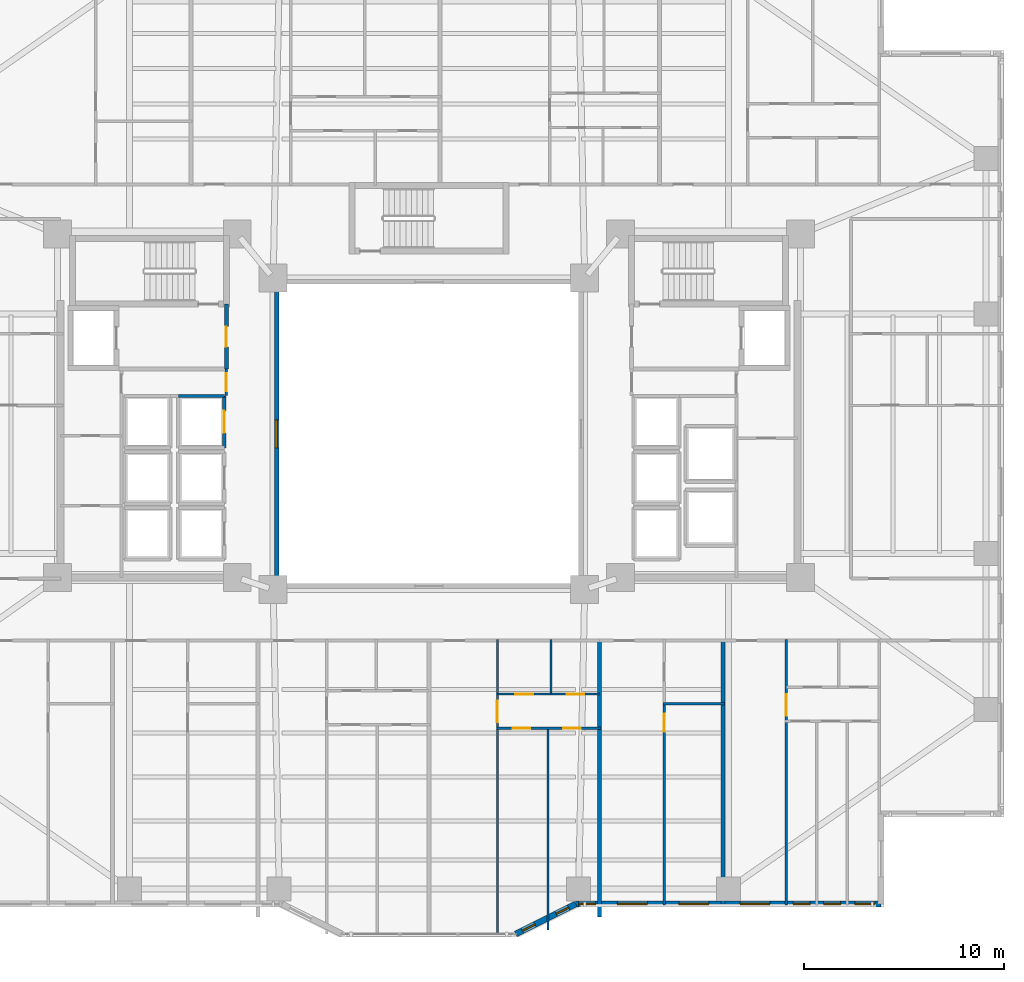
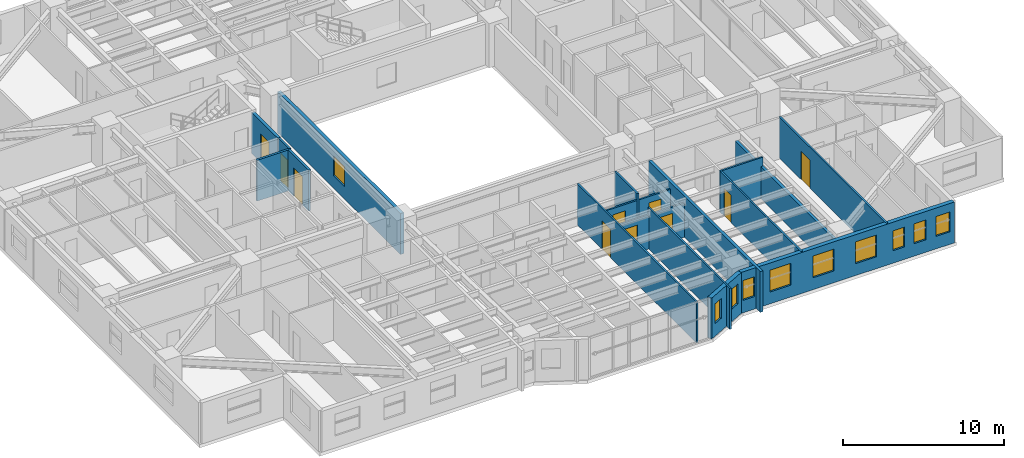
# One storey, part 12 of 22: 18 walls, 10 doors, 10 windows, 20 openings.
"""IFC4 building model written with IfcOpenShell, lengths in metres."""

from ifc_helpers import new_model, si_unit, direction, frame, frame_2d, origin, place, context, subcontext, project, spatial, rectangle, extrude, material, layer, layer_set, type_object, element, fill, save


model = new_model("IFC4")

# Units and contexts
model_context = context("Model", 3, precision=1e-05, world=origin(), true_north=direction((0.0, 1.0)))
body_context = subcontext(model_context, "Body", "Model", "MODEL_VIEW")
ifc_project = project(units=[si_unit("LENGTHUNIT", "METRE"), si_unit("AREAUNIT", "SQUARE_METRE"), si_unit("VOLUMEUNIT", "CUBIC_METRE"), si_unit("PLANEANGLEUNIT", "RADIAN"), si_unit("MASSUNIT", "GRAM", prefix="KILO")], contexts=[model_context])

# Site, building, storey
site_placement = place(None, origin())
site = spatial("IfcSite", under=ifc_project, at=site_placement, CompositionType="ELEMENT")
building_placement = place(site_placement, origin())
building = spatial("IfcBuilding", under=site, at=building_placement, Name="Tarnavaz Court Tower", CompositionType="ELEMENT")
storey_placement = place(building_placement, frame((0.0, 0.0, 27.35009765625)))
storey = spatial("IfcBuildingStorey", under=building, at=storey_placement, Name="L06", CompositionType="ELEMENT", Elevation=27.35009765625)

# Wall, openings, windows
ifc_material_1 = material(Name="Precast Concrete C40/50", Category="concrete")
ifc_layer_1 = layer(ifc_material_1, 0.300048828125)
ifc_layer_set_1 = layer_set([ifc_layer_1], Name="Precast Concrete C40/50")
wall_type_1 = type_object("IfcWallType", Name="WL-EXT-300", PredefinedType="SOLIDWALL", material=ifc_layer_set_1)
wall_1_placement = place(storey_placement, frame((22.64990234375, -23.550048828125, 0.0), z_axis=(0.0, 0.0, 1.0), x_axis=(-1.0, 0.0, 0.0)))
wall_1 = element("IfcWall", 1, at=wall_1_placement, inside=storey, type_object=wall_type_1, Name="L06 Exterior Terracotta Facade Wall 15", PredefinedType="SOLIDWALL", context=body_context, shape_type="SweptSolid", body=[
    extrude(rectangle(XDim=15.2998046875, YDim=0.300048828125, at=frame_2d((7.64990234375, 0.0))), origin(), (0.0, 0.0, 1.0), 3.099853515625),
])
opening_1_placement = place(wall_1_placement, frame((0.32080078125, 0.0, 0.949951171875)))
opening_1 = element("IfcOpeningElement", 2, at=opening_1_placement, cuts=wall_1, Name="Opening W14", PredefinedType="OPENING", context=body_context, shape_type="SweptSolid", body=[
    extrude(rectangle(XDim=1.0, YDim=1.5, at=frame_2d((0.5, 0.75))), frame((0.0, 0.159912109375, 0.0), z_axis=(0.0, -1.0, 0.0), x_axis=(1.0, 0.0, 0.0)), (0.0, 0.0, 1.0), 0.320068359375),
])
opening_2_placement = place(wall_1_placement, frame((2.031005859375, 0.0, 0.949951171875)))
opening_2 = element("IfcOpeningElement", 3, at=opening_2_placement, cuts=wall_1, Name="Opening W15", PredefinedType="OPENING", context=body_context, shape_type="SweptSolid", body=[
    extrude(rectangle(XDim=0.85009765625, YDim=1.5, at=frame_2d((0.425048828125, 0.75))), frame((0.0, 0.159912109375, 0.0), z_axis=(0.0, -1.0, 0.0), x_axis=(1.0, 0.0, 0.0)), (0.0, 0.0, 1.0), 0.320068359375),
])
opening_3_placement = place(wall_1_placement, frame((3.5615234375, 0.0, 0.949951171875)))
opening_3 = element("IfcOpeningElement", 4, at=opening_3_placement, cuts=wall_1, Name="Opening W15", PredefinedType="OPENING", context=body_context, shape_type="SweptSolid", body=[
    extrude(rectangle(XDim=0.85009765625, YDim=1.5, at=frame_2d((0.425048828125, 0.75))), frame((0.0, 0.159912109375, 0.0), z_axis=(0.0, -1.0, 0.0), x_axis=(1.0, 0.0, 0.0)), (0.0, 0.0, 1.0), 0.320068359375),
])
opening_4_placement = place(wall_1_placement, frame((5.57080078125, 0.0, 0.89990234375)))
opening_4 = element("IfcOpeningElement", 5, at=opening_4_placement, cuts=wall_1, Name="Opening W03", PredefinedType="OPENING", context=body_context, shape_type="SweptSolid", body=[
    extrude(rectangle(XDim=1.5, YDim=1.64990234375, at=frame_2d((0.75, 0.824951171875))), frame((0.0, 0.159912109375, 0.0), z_axis=(0.0, -1.0, 0.0), x_axis=(1.0, 0.0, 0.0)), (0.0, 0.0, 1.0), 0.320068359375),
])
opening_5_placement = place(wall_1_placement, frame((8.630615234375, 0.0, 0.89990234375)))
opening_5 = element("IfcOpeningElement", 6, at=opening_5_placement, cuts=wall_1, Name="Opening W03", PredefinedType="OPENING", context=body_context, shape_type="SweptSolid", body=[
    extrude(rectangle(XDim=1.5, YDim=1.64990234375, at=frame_2d((0.75, 0.824951171875))), frame((0.0, 0.159912109375, 0.0), z_axis=(0.0, -1.0, 0.0), x_axis=(1.0, 0.0, 0.0)), (0.0, 0.0, 1.0), 0.320068359375),
])
opening_6_placement = place(wall_1_placement, frame((11.7158203125, 0.0, 0.89990234375)))
opening_6 = element("IfcOpeningElement", 7, at=opening_6_placement, cuts=wall_1, Name="Opening W03", PredefinedType="OPENING", context=body_context, shape_type="SweptSolid", body=[
    extrude(rectangle(XDim=1.5, YDim=1.64990234375, at=frame_2d((0.75, 0.824951171875))), frame((0.0, 0.159912109375, 0.0), z_axis=(0.0, -1.0, 0.0), x_axis=(1.0, 0.0, 0.0)), (0.0, 0.0, 1.0), 0.320068359375),
])
opening_7_placement = place(wall_1_placement, frame((14.30322265625, 0.0, 0.949951171875)))
opening_7 = element("IfcOpeningElement", 8, at=opening_7_placement, cuts=wall_1, Name="Opening W15", PredefinedType="OPENING", context=body_context, shape_type="SweptSolid", body=[
    extrude(rectangle(XDim=0.85009765625, YDim=1.5, at=frame_2d((0.425048828125, 0.75))), frame((0.0, 0.159912109375, 0.0), z_axis=(0.0, -1.0, 0.0), x_axis=(1.0, 0.0, 0.0)), (0.0, 0.0, 1.0), 0.320068359375),
])
ifc_material_2 = material(Name="Double-Glazed Solar Low-E Glass", Category="glass")
window_type_1 = type_object("IfcWindowType", Name="WN-APT-1000", PartitioningType="SINGLE_PANEL", PredefinedType="WINDOW", material=ifc_material_2)
window_1_placement = place(opening_1_placement, origin())
window_1 = element("IfcWindow", 9, at=window_1_placement, inside=storey, type_object=window_type_1, Name="L06 Flat 08 Bedroom 3 Window", OverallHeight=1.5, OverallWidth=1.0, PartitioningType="SINGLE_PANEL", PredefinedType="WINDOW", context=body_context, shape_type="SweptSolid", body=[
    extrude(rectangle(XDim=1.0, YDim=1.5, at=frame_2d((0.5, 0.75))), frame((0.0, 0.030029296875, 0.0), z_axis=(0.0, -1.0, 0.0), x_axis=(1.0, 0.0, 0.0)), (0.0, 0.0, 1.0), 0.06005859375),
])
fill(opening_1, window_1)
window_type_2 = type_object("IfcWindowType", Name="WN-APT-1500", PartitioningType="DOUBLE_PANEL_VERTICAL", PredefinedType="WINDOW", material=ifc_material_2)
window_2_placement = place(opening_4_placement, origin())
window_2 = element("IfcWindow", 10, at=window_2_placement, inside=storey, type_object=window_type_2, Name="L06 Flat 08 Living and Dining Room Window", OverallHeight=1.64990234375, OverallWidth=1.5, PartitioningType="SINGLE_PANEL", PredefinedType="WINDOW", context=body_context, shape_type="SweptSolid", body=[
    extrude(rectangle(XDim=1.5, YDim=1.64990234375, at=frame_2d((0.75, 0.824951171875))), frame((0.0, 0.030029296875, 0.0), z_axis=(0.0, -1.0, 0.0), x_axis=(1.0, 0.0, 0.0)), (0.0, 0.0, 1.0), 0.06005859375),
])
fill(opening_4, window_2)
window_3_placement = place(opening_5_placement, origin())
window_3 = element("IfcWindow", 11, at=window_3_placement, inside=storey, type_object=window_type_2, Name="L06 Flat 07 Kitchen Window", OverallHeight=1.64990234375, OverallWidth=1.5, PartitioningType="SINGLE_PANEL", PredefinedType="WINDOW", context=body_context, shape_type="SweptSolid", body=[
    extrude(rectangle(XDim=1.5, YDim=1.64990234375, at=frame_2d((0.75, 0.824951171875))), frame((0.0, 0.030029296875, 0.0), z_axis=(0.0, -1.0, 0.0), x_axis=(1.0, 0.0, 0.0)), (0.0, 0.0, 1.0), 0.06005859375),
])
fill(opening_5, window_3)
window_4_placement = place(opening_6_placement, origin())
window_4 = element("IfcWindow", 12, at=window_4_placement, inside=storey, type_object=window_type_2, Name="L06 Flat 07 Studio Living and Sleeping Room Window", OverallHeight=1.64990234375, OverallWidth=1.5, PartitioningType="SINGLE_PANEL", PredefinedType="WINDOW", context=body_context, shape_type="SweptSolid", body=[
    extrude(rectangle(XDim=1.5, YDim=1.64990234375, at=frame_2d((0.75, 0.824951171875))), frame((0.0, 0.030029296875, 0.0), z_axis=(0.0, -1.0, 0.0), x_axis=(1.0, 0.0, 0.0)), (0.0, 0.0, 1.0), 0.06005859375),
])
fill(opening_6, window_4)
window_type_3 = type_object("IfcWindowType", Name="WN-APT-850", PartitioningType="SINGLE_PANEL", PredefinedType="WINDOW", material=ifc_material_2)
window_5_placement = place(opening_2_placement, origin())
window_5 = element("IfcWindow", 13, at=window_5_placement, inside=storey, type_object=window_type_3, Name="L06 Flat 08 Bedroom 2 Window", OverallHeight=1.5, OverallWidth=0.85009765625, PartitioningType="SINGLE_PANEL", PredefinedType="WINDOW", context=body_context, shape_type="SweptSolid", body=[
    extrude(rectangle(XDim=0.85009765625, YDim=1.5, at=frame_2d((0.425048828125, 0.75))), frame((0.0, 0.030029296875, 0.0), z_axis=(0.0, -1.0, 0.0), x_axis=(1.0, 0.0, 0.0)), (0.0, 0.0, 1.0), 0.06005859375),
])
fill(opening_2, window_5)
window_6_placement = place(opening_3_placement, origin())
window_6 = element("IfcWindow", 14, at=window_6_placement, inside=storey, type_object=window_type_3, Name="L06 Flat 08 Principal Bedroom Window", OverallHeight=1.5, OverallWidth=0.85009765625, PartitioningType="SINGLE_PANEL", PredefinedType="WINDOW", context=body_context, shape_type="SweptSolid", body=[
    extrude(rectangle(XDim=0.85009765625, YDim=1.5, at=frame_2d((0.425048828125, 0.75))), frame((0.0, 0.030029296875, 0.0), z_axis=(0.0, -1.0, 0.0), x_axis=(1.0, 0.0, 0.0)), (0.0, 0.0, 1.0), 0.06005859375),
])
fill(opening_3, window_6)
window_7_placement = place(opening_7_placement, origin())
window_7 = element("IfcWindow", 15, at=window_7_placement, inside=storey, type_object=window_type_3, Name="L06 Flat 10 Bedroom 2 Window", OverallHeight=1.5, OverallWidth=0.85009765625, PartitioningType="SINGLE_PANEL", PredefinedType="WINDOW", context=body_context, shape_type="SweptSolid", body=[
    extrude(rectangle(XDim=0.85009765625, YDim=1.5, at=frame_2d((0.425048828125, 0.75))), frame((0.0, 0.030029296875, 0.0), z_axis=(0.0, -1.0, 0.0), x_axis=(1.0, 0.0, 0.0)), (0.0, 0.0, 1.0), 0.06005859375),
])
fill(opening_7, window_7)

wall_2_placement = place(storey_placement, frame((7.35009765625, -23.550048828125, 0.0), z_axis=(0.0, 0.0, 1.0), x_axis=(-0.894427191, -0.4472135955, 0.0)))
wall_2 = element("IfcWall", 16, at=wall_2_placement, inside=storey, type_object=wall_type_1, Name="L06 Exterior Terracotta Facade Wall 16", PredefinedType="SOLIDWALL", context=body_context, shape_type="SweptSolid", body=[
    extrude(rectangle(XDim=3.35400390625, YDim=0.300048828125, at=frame_2d((1.677001953125, 0.0))), origin(), (0.0, 0.0, 1.0), 3.099853515625),
])
opening_8_placement = place(wall_2_placement, frame((0.395751953125, 0.0, 0.949951171875)))
opening_8 = element("IfcOpeningElement", 17, at=opening_8_placement, cuts=wall_2, Name="Opening W16", PredefinedType="OPENING", context=body_context, shape_type="SweptSolid", body=[
    extrude(rectangle(XDim=0.699951171875, YDim=1.5, at=frame_2d((0.35009765625, 0.75))), frame((0.0, 0.159912109375, 0.0), z_axis=(0.0, -1.0, 0.0), x_axis=(1.0, 0.0, 0.0)), (0.0, 0.0, 1.0), 0.320068359375),
])
opening_9_placement = place(wall_2_placement, frame((2.282470703125, 0.0, 0.949951171875)))
opening_9 = element("IfcOpeningElement", 18, at=opening_9_placement, cuts=wall_2, Name="Opening W16", PredefinedType="OPENING", context=body_context, shape_type="SweptSolid", body=[
    extrude(rectangle(XDim=0.699951171875, YDim=1.5, at=frame_2d((0.35009765625, 0.75))), frame((0.0, 0.159912109375, 0.0), z_axis=(0.0, -1.0, 0.0), x_axis=(1.0, 0.0, 0.0)), (0.0, 0.0, 1.0), 0.320068359375),
])
window_type_4 = type_object("IfcWindowType", Name="WN-APT-700", PartitioningType="SINGLE_PANEL", PredefinedType="WINDOW", material=ifc_material_2)
window_8_placement = place(opening_8_placement, origin())
window_8 = element("IfcWindow", 19, at=window_8_placement, inside=storey, type_object=window_type_4, Name="L06 Flat 10 Bedroom 2 Window", OverallHeight=1.5, OverallWidth=0.699951171875, PartitioningType="SINGLE_PANEL", PredefinedType="WINDOW", context=body_context, shape_type="SweptSolid", body=[
    extrude(rectangle(XDim=0.699951171875, YDim=1.5, at=frame_2d((0.35009765625, 0.75))), frame((0.0, 0.030029296875, 0.0), z_axis=(0.0, -1.0, 0.0), x_axis=(1.0, 0.0, 0.0)), (0.0, 0.0, 1.0), 0.06005859375),
])
fill(opening_8, window_8)
window_9_placement = place(opening_9_placement, origin())
window_9 = element("IfcWindow", 20, at=window_9_placement, inside=storey, type_object=window_type_4, Name="L06 Flat 10 Principal Bedroom Window", OverallHeight=1.5, OverallWidth=0.699951171875, PartitioningType="SINGLE_PANEL", PredefinedType="WINDOW", context=body_context, shape_type="SweptSolid", body=[
    extrude(rectangle(XDim=0.699951171875, YDim=1.5, at=frame_2d((0.35009765625, 0.75))), frame((0.0, 0.030029296875, 0.0), z_axis=(0.0, -1.0, 0.0), x_axis=(1.0, 0.0, 0.0)), (0.0, 0.0, 1.0), 0.06005859375),
])
fill(opening_9, window_9)

# Wall, opening, door
ifc_material_3 = material(Name="Autoclaved Aerated Concrete Blockwork", Category="masonry")
ifc_layer_2 = layer(ifc_material_3, 0.199951171875)
ifc_layer_set_2 = layer_set([ifc_layer_2], Name="Autoclaved Aerated Concrete Blockwork")
wall_type_2 = type_object("IfcWallType", Name="WL-FIRE-200", PredefinedType="SOLIDWALL", material=ifc_layer_set_2)
wall_3_placement = place(storey_placement, frame((-10.14990234375, 3.25, 0.0), z_axis=(0.0, 0.0, 1.0), x_axis=(0.0, 1.0, 0.0)))
wall_3 = element("IfcWall", 21, at=wall_3_placement, inside=storey, type_object=wall_type_2, Name="L06 West Firefighting Lobby Wall 014", PredefinedType="SOLIDWALL", context=body_context, shape_type="SweptSolid", body=[
    extrude(rectangle(XDim=3.25, YDim=0.199951171875, at=frame_2d((1.625, 0.0))), origin(), (0.0, 0.0, 1.0), 3.099853515625),
])
opening_10_placement = place(wall_3_placement, frame((1.10009765625, 0.0, 0.0)))
opening_10 = element("IfcOpeningElement", 22, at=opening_10_placement, cuts=wall_3, Name="Opening D05", PredefinedType="OPENING", context=body_context, shape_type="SweptSolid", body=[
    extrude(rectangle(XDim=1.02001953125, YDim=2.14990234375, at=frame_2d((0.510009765625, 1.074951171875))), frame((0.0, 0.10986328125, 0.0), z_axis=(0.0, -1.0, 0.0), x_axis=(1.0, 0.0, 0.0)), (0.0, 0.0, 1.0), 0.219970703125),
])
ifc_material_4 = material(Name="Fire-Rated Hardwood Timber Core", Category="wood")
door_type_1 = type_object("IfcDoorType", Name="DR-FD60-1000", OperationType="NOTDEFINED", PredefinedType="DOOR", material=ifc_material_4)
door_1_placement = place(opening_10_placement, origin())
door_1 = element("IfcDoor", 23, at=door_1_placement, inside=storey, type_object=door_type_1, Name="L06 West Firefighting Lobby Door", OperationType="SINGLE_SWING_RIGHT", OverallHeight=2.14990234375, OverallWidth=1.02001953125, PredefinedType="DOOR", context=body_context, shape_type="SweptSolid", body=[
    extrude(rectangle(XDim=1.02001953125, YDim=2.14990234375, at=frame_2d((0.510009765625, 1.074951171875))), frame((0.0, 0.02490234375, 0.0), z_axis=(0.0, -1.0, 0.0), x_axis=(1.0, 0.0, 0.0)), (0.0, 0.0, 1.0), 0.050048828125),
])
fill(opening_10, door_1)

# Walls
wall_4_placement = place(storey_placement, frame((14.738037109375, -23.60009765625, 0.0), z_axis=(0.0, 0.0, 1.0), x_axis=(0.0, 1.0, 0.0)))
element("IfcWall", 24, at=wall_4_placement, inside=storey, type_object=wall_type_2, Name="L06 Party Wall 119", PredefinedType="SOLIDWALL", context=body_context, shape_type="SweptSolid", body=[
    extrude(rectangle(XDim=13.25, YDim=0.199951171875, at=frame_2d((6.625, 0.0))), origin(), (0.0, 0.0, 1.0), 2.434814453125),
])
wall_5_placement = place(storey_placement, frame((8.550048828125, -24.2041015625, 0.0), z_axis=(0.0, 0.0, 1.0), x_axis=(0.0, 1.0, 0.0)))
element("IfcWall", 25, at=wall_5_placement, inside=storey, type_object=wall_type_2, Name="L06 Party Wall 131", PredefinedType="SOLIDWALL", context=body_context, shape_type="SweptSolid", body=[
    extrude(rectangle(XDim=13.85400390625, YDim=0.199951171875, at=frame_2d((6.927001953125, 0.0))), origin(), (0.0, 0.0, 1.0), 3.099853515625),
])

# Wall, opening, door
ifc_material_5 = material(Name="Moisture-Resistant Gypsum Board Partition", Category="masonry")
ifc_layer_3 = layer(ifc_material_5, 0.1201171875)
ifc_layer_set_3 = layer_set([ifc_layer_3], Name="Moisture-Resistant Gypsum Board Partition")
wall_type_3 = type_object("IfcWallType", Name="WL-PART-120", PredefinedType="PARTITIONING", material=ifc_layer_set_3)
wall_6_placement = place(storey_placement, frame((11.7890625, -23.60009765625, 0.0), z_axis=(0.0, 0.0, 1.0), x_axis=(0.0, 1.0, 0.0)))
wall_6 = element("IfcWall", 26, at=wall_6_placement, inside=storey, type_object=wall_type_3, Name="L06 Interior Partition 120", PredefinedType="PARTITIONING", context=body_context, shape_type="SweptSolid", body=[
    extrude(rectangle(XDim=10.090087890625, YDim=0.1201171875, at=frame_2d((5.044921875, 0.0))), origin(), (0.0, 0.0, 1.0), 3.099853515625),
])
opening_11_placement = place(wall_6_placement, frame((8.68994140625, 0.0, 0.0)))
opening_11 = element("IfcOpeningElement", 27, at=opening_11_placement, cuts=wall_6, Name="Opening D14", PredefinedType="OPENING", context=body_context, shape_type="SweptSolid", body=[
    extrude(rectangle(XDim=0.8798828125, YDim=2.10009765625, at=frame_2d((0.43994140625, 1.050048828125))), frame((0.0, 0.070068359375, 0.0), z_axis=(0.0, -1.0, 0.0), x_axis=(1.0, 0.0, 0.0)), (0.0, 0.0, 1.0), 0.14013671875),
])
ifc_material_6 = material(Name="Engineered Oak Timber", Category="wood")
door_type_2 = type_object("IfcDoorType", Name="DR-INT-900", OperationType="NOTDEFINED", PredefinedType="DOOR", material=ifc_material_6)
door_2_placement = place(opening_11_placement, origin())
door_2 = element("IfcDoor", 28, at=door_2_placement, inside=storey, type_object=door_type_2, Name="L06 Flat 07 Kitchen Door", OperationType="SINGLE_SWING_RIGHT", OverallHeight=2.10009765625, OverallWidth=0.8798828125, PredefinedType="DOOR", context=body_context, shape_type="SweptSolid", body=[
    extrude(rectangle(XDim=0.8798828125, YDim=2.10009765625, at=frame_2d((0.43994140625, 1.050048828125))), frame((0.0, 0.02490234375, 0.0), z_axis=(0.0, -1.0, 0.0), x_axis=(1.0, 0.0, 0.0)), (0.0, 0.0, 1.0), 0.050048828125),
])
fill(opening_11, door_2)

# Wall
wall_7_placement = place(storey_placement, frame((11.72900390625, -13.510009765625, 0.0), z_axis=(0.0, 0.0, 1.0), x_axis=(1.0, 0.0, 0.0)))
element("IfcWall", 29, at=wall_7_placement, inside=storey, type_object=wall_type_3, Name="L06 Interior Partition 122", PredefinedType="PARTITIONING", context=body_context, shape_type="SweptSolid", body=[
    extrude(rectangle(XDim=3.069091796875, YDim=0.1201171875, at=frame_2d((1.53466796875, 0.0))), origin(), (0.0, 0.0, 1.0), 3.099853515625),
])

# Wall, opening, door
wall_8_placement = place(storey_placement, frame((17.89794921875, -23.60009765625, 0.0), z_axis=(0.0, 0.0, 1.0), x_axis=(0.0, 1.0, 0.0)))
wall_8 = element("IfcWall", 30, at=wall_8_placement, inside=storey, type_object=wall_type_3, Name="L06 Interior Partition 123", PredefinedType="PARTITIONING", context=body_context, shape_type="SweptSolid", body=[
    extrude(rectangle(XDim=13.31005859375, YDim=0.1201171875, at=frame_2d((6.655029296875, 0.0))), origin(), (0.0, 0.0, 1.0), 3.099853515625),
])
opening_12_placement = place(wall_8_placement, frame((9.485107421875, 0.0, 0.0)))
opening_12 = element("IfcOpeningElement", 31, at=opening_12_placement, cuts=wall_8, Name="Opening D12", PredefinedType="OPENING", context=body_context, shape_type="SweptSolid", body=[
    extrude(rectangle(XDim=1.080078125, YDim=2.14990234375, at=frame_2d((0.5400390625, 1.074951171875))), frame((0.0, 0.070068359375, 0.0), z_axis=(0.0, -1.0, 0.0), x_axis=(1.0, 0.0, 0.0)), (0.0, 0.0, 1.0), 0.14013671875),
])
door_type_3 = type_object("IfcDoorType", Name="DR-INT-1100", OperationType="NOTDEFINED", PredefinedType="DOOR", material=ifc_material_6)
door_3_placement = place(opening_12_placement, origin())
door_3 = element("IfcDoor", 32, at=door_3_placement, inside=storey, type_object=door_type_3, Name="L06 Flat 08 Foyer Door", OperationType="SINGLE_SWING_LEFT", OverallHeight=2.14990234375, OverallWidth=1.080078125, PredefinedType="DOOR", context=body_context, shape_type="SweptSolid", body=[
    extrude(rectangle(XDim=1.080078125, YDim=2.14990234375, at=frame_2d((0.5400390625, 1.074951171875))), frame((0.0, 0.02490234375, 0.0), z_axis=(0.0, -1.0, 0.0), x_axis=(1.0, 0.0, 0.0)), (0.0, 0.0, 1.0), 0.050048828125),
])
fill(opening_12, door_3)

wall_9_placement = place(storey_placement, frame((3.431884765625, -25.080078125, 0.0), z_axis=(0.0, 0.0, 1.0), x_axis=(0.0, 1.0, 0.0)))
wall_9 = element("IfcWall", 33, at=wall_9_placement, inside=storey, type_object=wall_type_3, Name="L06 Interior Partition 139", PredefinedType="PARTITIONING", context=body_context, shape_type="SweptSolid", body=[
    extrude(rectangle(XDim=14.7900390625, YDim=0.1201171875, at=frame_2d((7.39501953125, 0.0))), origin(), (0.0, 0.0, 1.0), 3.099853515625),
])
opening_13_placement = place(wall_9_placement, frame((10.625, 0.0, 0.0)))
opening_13 = element("IfcOpeningElement", 34, at=opening_13_placement, cuts=wall_9, Name="Opening D12", PredefinedType="OPENING", context=body_context, shape_type="SweptSolid", body=[
    extrude(rectangle(XDim=1.080078125, YDim=2.14990234375, at=frame_2d((0.5400390625, 1.074951171875))), frame((0.0, 0.070068359375, 0.0), z_axis=(0.0, -1.0, 0.0), x_axis=(1.0, 0.0, 0.0)), (0.0, 0.0, 1.0), 0.14013671875),
])
door_4_placement = place(opening_13_placement, origin())
door_4 = element("IfcDoor", 35, at=door_4_placement, inside=storey, type_object=door_type_3, Name="L06 Flat 10 Foyer Door", OperationType="SINGLE_SWING_RIGHT", OverallHeight=2.14990234375, OverallWidth=1.080078125, PredefinedType="DOOR", context=body_context, shape_type="SweptSolid", body=[
    extrude(rectangle(XDim=1.080078125, YDim=2.14990234375, at=frame_2d((0.5400390625, 1.074951171875))), frame((0.0, 0.02490234375, 0.0), z_axis=(0.0, -1.0, 0.0), x_axis=(1.0, 0.0, 0.0)), (0.0, 0.0, 1.0), 0.050048828125),
])
fill(opening_13, door_4)

wall_10_placement = place(storey_placement, frame((3.431884765625, -13.030029296875, 0.0), z_axis=(0.0, 0.0, 1.0), x_axis=(1.0, 0.0, 0.0)))
wall_10 = element("IfcWall", 36, at=wall_10_placement, inside=storey, type_object=wall_type_3, Name="L06 Interior Partition 140", PredefinedType="PARTITIONING", context=body_context, shape_type="SweptSolid", body=[
    extrude(rectangle(XDim=2.68115234375, YDim=0.1201171875, at=frame_2d((1.340576171875, 0.0))), origin(), (0.0, 0.0, 1.0), 2.5849609375),
])
opening_14_placement = place(wall_10_placement, frame((0.90087890625, 0.0, 0.0)))
opening_14 = element("IfcOpeningElement", 37, at=opening_14_placement, cuts=wall_10, Name="Opening D14", PredefinedType="OPENING", context=body_context, shape_type="SweptSolid", body=[
    extrude(rectangle(XDim=0.8798828125, YDim=2.10009765625, at=frame_2d((0.43994140625, 1.050048828125))), frame((0.0, 0.070068359375, 0.0), z_axis=(0.0, -1.0, 0.0), x_axis=(1.0, 0.0, 0.0)), (0.0, 0.0, 1.0), 0.14013671875),
])
door_5_placement = place(opening_14_placement, origin())
door_5 = element("IfcDoor", 38, at=door_5_placement, inside=storey, type_object=door_type_2, Name="L06 Flat 10 Kitchen Door", OperationType="SINGLE_SWING_LEFT", OverallHeight=2.10009765625, OverallWidth=0.8798828125, PredefinedType="DOOR", context=body_context, shape_type="SweptSolid", body=[
    extrude(rectangle(XDim=0.8798828125, YDim=2.10009765625, at=frame_2d((0.43994140625, 1.050048828125))), frame((0.0, 0.02490234375, 0.0), z_axis=(0.0, -1.0, 0.0), x_axis=(1.0, 0.0, 0.0)), (0.0, 0.0, 1.0), 0.050048828125),
])
fill(opening_14, door_5)

wall_11_placement = place(storey_placement, frame((6.113037109375, -13.030029296875, 0.0), z_axis=(0.0, 0.0, 1.0), x_axis=(1.0, 0.0, 0.0)))
wall_11 = element("IfcWall", 39, at=wall_11_placement, inside=storey, type_object=wall_type_3, Name="L06 Interior Partition 141", PredefinedType="PARTITIONING", context=body_context, shape_type="SweptSolid", body=[
    extrude(rectangle(XDim=2.43701171875, YDim=0.1201171875, at=frame_2d((1.218505859375, 0.0))), origin(), (0.0, 0.0, 1.0), 2.5849609375),
])
opening_15_placement = place(wall_11_placement, frame((0.779052734375, 0.0, 0.0)))
opening_15 = element("IfcOpeningElement", 40, at=opening_15_placement, cuts=wall_11, Name="Opening D14", PredefinedType="OPENING", context=body_context, shape_type="SweptSolid", body=[
    extrude(rectangle(XDim=0.8798828125, YDim=2.10009765625, at=frame_2d((0.43994140625, 1.050048828125))), frame((0.0, 0.070068359375, 0.0), z_axis=(0.0, -1.0, 0.0), x_axis=(1.0, 0.0, 0.0)), (0.0, 0.0, 1.0), 0.14013671875),
])
door_6_placement = place(opening_15_placement, origin())
door_6 = element("IfcDoor", 41, at=door_6_placement, inside=storey, type_object=door_type_2, Name="L06 Flat 10 Bathroom Door", OperationType="SINGLE_SWING_RIGHT", OverallHeight=2.10009765625, OverallWidth=0.8798828125, PredefinedType="DOOR", context=body_context, shape_type="SweptSolid", body=[
    extrude(rectangle(XDim=0.8798828125, YDim=2.10009765625, at=frame_2d((0.43994140625, 1.050048828125))), frame((0.0, 0.02490234375, 0.0), z_axis=(0.0, -1.0, 0.0), x_axis=(1.0, 0.0, 0.0)), (0.0, 0.0, 1.0), 0.050048828125),
])
fill(opening_15, door_6)

# Wall, openings, doors
wall_12_placement = place(storey_placement, frame((3.3720703125, -14.739990234375, 0.0), z_axis=(0.0, 0.0, 1.0), x_axis=(1.0, 0.0, 0.0)))
wall_12 = element("IfcWall", 42, at=wall_12_placement, inside=storey, type_object=wall_type_3, Name="L06 Interior Partition 142", PredefinedType="PARTITIONING", context=body_context, shape_type="SweptSolid", body=[
    extrude(rectangle(XDim=5.238037109375, YDim=0.1201171875, at=frame_2d((2.619140625, 0.0))), origin(), (0.0, 0.0, 1.0), 2.5849609375),
])
opening_16_placement = place(wall_12_placement, frame((0.824951171875, 0.0, 0.0)))
opening_16 = element("IfcOpeningElement", 43, at=opening_16_placement, cuts=wall_12, Name="Opening D14", PredefinedType="OPENING", context=body_context, shape_type="SweptSolid", body=[
    extrude(rectangle(XDim=0.8798828125, YDim=2.10009765625, at=frame_2d((0.43994140625, 1.050048828125))), frame((0.0, 0.070068359375, 0.0), z_axis=(0.0, -1.0, 0.0), x_axis=(1.0, 0.0, 0.0)), (0.0, 0.0, 1.0), 0.14013671875),
])
opening_17_placement = place(wall_12_placement, frame((3.35302734375, 0.0, 0.0)))
opening_17 = element("IfcOpeningElement", 44, at=opening_17_placement, cuts=wall_12, Name="Opening D14", PredefinedType="OPENING", context=body_context, shape_type="SweptSolid", body=[
    extrude(rectangle(XDim=0.8798828125, YDim=2.10009765625, at=frame_2d((0.43994140625, 1.050048828125))), frame((0.0, 0.070068359375, 0.0), z_axis=(0.0, -1.0, 0.0), x_axis=(1.0, 0.0, 0.0)), (0.0, 0.0, 1.0), 0.14013671875),
])
door_7_placement = place(opening_16_placement, origin())
door_7 = element("IfcDoor", 45, at=door_7_placement, inside=storey, type_object=door_type_2, Name="L06 Flat 10 Bedroom 1 Door", OperationType="SINGLE_SWING_LEFT", OverallHeight=2.10009765625, OverallWidth=0.8798828125, PredefinedType="DOOR", context=body_context, shape_type="SweptSolid", body=[
    extrude(rectangle(XDim=0.8798828125, YDim=2.10009765625, at=frame_2d((0.43994140625, 1.050048828125))), frame((0.0, 0.02490234375, 0.0), z_axis=(0.0, -1.0, 0.0), x_axis=(1.0, 0.0, 0.0)), (0.0, 0.0, 1.0), 0.050048828125),
])
fill(opening_16, door_7)
door_8_placement = place(opening_17_placement, origin())
door_8 = element("IfcDoor", 46, at=door_8_placement, inside=storey, type_object=door_type_2, Name="L06 Flat 10 Bedroom 2 Door", OperationType="SINGLE_SWING_RIGHT", OverallHeight=2.10009765625, OverallWidth=0.8798828125, PredefinedType="DOOR", context=body_context, shape_type="SweptSolid", body=[
    extrude(rectangle(XDim=0.8798828125, YDim=2.10009765625, at=frame_2d((0.43994140625, 1.050048828125))), frame((0.0, 0.02490234375, 0.0), z_axis=(0.0, -1.0, 0.0), x_axis=(1.0, 0.0, 0.0)), (0.0, 0.0, 1.0), 0.050048828125),
])
fill(opening_17, door_8)

# Walls
wall_13_placement = place(storey_placement, frame((6.113037109375, -13.090087890625, 0.0), z_axis=(0.0, 0.0, 1.0), x_axis=(0.0, 1.0, 0.0)))
element("IfcWall", 47, at=wall_13_placement, inside=storey, type_object=wall_type_3, Name="L06 Interior Partition 143", PredefinedType="PARTITIONING", context=body_context, shape_type="SweptSolid", body=[
    extrude(rectangle(XDim=2.800048828125, YDim=0.1201171875, at=frame_2d((1.39990234375, 0.0))), origin(), (0.0, 0.0, 1.0), 3.099853515625),
])
wall_14_placement = place(storey_placement, frame((5.9609375, -24.843017578125, 0.0), z_axis=(0.0, 0.0, 1.0), x_axis=(0.0, 1.0, 0.0)))
element("IfcWall", 48, at=wall_14_placement, inside=storey, type_object=wall_type_3, Name="L06 Interior Partition 144", PredefinedType="PARTITIONING", context=body_context, shape_type="SweptSolid", body=[
    extrude(rectangle(XDim=10.1630859375, YDim=0.1201171875, at=frame_2d((5.08154296875, 0.0))), origin(), (0.0, 0.0, 1.0), 3.099853515625),
])

# Wall, opening, door
ifc_material_7 = material(Name="Gypsum Plasterboard Acoustic Partition", Category="masonry")
ifc_layer_4 = layer(ifc_material_7, 0.139892578125)
ifc_layer_set_4 = layer_set([ifc_layer_4], Name="Gypsum Plasterboard Acoustic Partition")
wall_type_4 = type_object("IfcWallType", Name="WL-PART-150", PredefinedType="PARTITIONING", material=ifc_layer_set_4)
wall_15_placement = place(storey_placement, frame((-10.14990234375, 1.919921875, 0.0), z_axis=(0.0, 0.0, 1.0), x_axis=(0.0, 1.0, 0.0)))
wall_15 = element("IfcWall", 49, at=wall_15_placement, inside=storey, type_object=wall_type_4, Name="L06 Interior Partition 074", PredefinedType="PARTITIONING", context=body_context, shape_type="SweptSolid", body=[
    extrude(rectangle(XDim=1.330078125, YDim=0.139892578125, at=frame_2d((0.6650390625, 0.0))), origin(), (0.0, 0.0, 1.0), 3.099853515625),
])
opening_18_placement = place(wall_15_placement, frame((0.219970703125, 0.0, 0.0)))
opening_18 = element("IfcOpeningElement", 50, at=opening_18_placement, cuts=wall_15, Name="Opening D09", PredefinedType="OPENING", context=body_context, shape_type="SweptSolid", body=[
    extrude(rectangle(XDim=0.89990234375, YDim=2.080078125, at=frame_2d((0.449951171875, 1.0400390625))), frame((0.0, 0.079833984375, 0.0), z_axis=(0.0, -1.0, 0.0), x_axis=(1.0, 0.0, 0.0)), (0.0, 0.0, 1.0), 0.159912109375),
])
door_type_4 = type_object("IfcDoorType", Name="DR-FD30-900", OperationType="NOTDEFINED", PredefinedType="DOOR", material=ifc_material_4)
door_9_placement = place(opening_18_placement, origin())
door_9 = element("IfcDoor", 51, at=door_9_placement, inside=storey, type_object=door_type_4, Name="L06 West Core Service Lobby Door", OperationType="SINGLE_SWING_LEFT", OverallHeight=2.080078125, OverallWidth=0.89990234375, PredefinedType="DOOR", context=body_context, shape_type="SweptSolid", body=[
    extrude(rectangle(XDim=0.89990234375, YDim=2.080078125, at=frame_2d((0.449951171875, 1.0400390625))), frame((0.0, 0.02490234375, 0.0), z_axis=(0.0, -1.0, 0.0), x_axis=(1.0, 0.0, 0.0)), (0.0, 0.0, 1.0), 0.050048828125),
])
fill(opening_18, door_9)

ifc_layer_5 = layer(ifc_material_3, 0.159912109375)
ifc_layer_set_5 = layer_set([ifc_layer_5], Name="Autoclaved Aerated Concrete Blockwork")
wall_type_5 = type_object("IfcWallType", Name="WL-SHAFT-150", PredefinedType="SOLIDWALL", material=ifc_layer_set_5)
wall_16_placement = place(storey_placement, frame((-10.25, -0.699951171875, 0.0), z_axis=(0.0, 0.0, 1.0), x_axis=(0.0, 1.0, 0.0)))
wall_16 = element("IfcWall", 52, at=wall_16_placement, inside=storey, type_object=wall_type_5, Name="L06 Lift PL-L3 Shaft Wall 030", PredefinedType="SOLIDWALL", context=body_context, shape_type="SweptSolid", body=[
    extrude(rectangle(XDim=2.599853515625, YDim=0.159912109375, at=frame_2d((1.2998046875, 0.0))), origin(), (0.0, 0.0, 1.0), 3.099853515625),
])
opening_19_placement = place(wall_16_placement, frame((0.75, 0.0, 0.0)))
opening_19 = element("IfcOpeningElement", 53, at=opening_19_placement, cuts=wall_16, Name="Opening LD1", PredefinedType="OPENING", context=body_context, shape_type="SweptSolid", body=[
    extrude(rectangle(XDim=1.10009765625, YDim=2.14990234375, at=frame_2d((0.550048828125, 1.074951171875))), frame((0.0, 0.08984375, 0.0), z_axis=(0.0, -1.0, 0.0), x_axis=(1.0, 0.0, 0.0)), (0.0, 0.0, 1.0), 0.179931640625),
])
ifc_material_8 = material(Name="Stainless Steel", Category="steel")
door_type_5 = type_object("IfcDoorType", Name="DR-LD-1100", OperationType="NOTDEFINED", PredefinedType="DOOR", material=ifc_material_8)
door_10_placement = place(opening_19_placement, origin())
door_10 = element("IfcDoor", 54, at=door_10_placement, inside=storey, type_object=door_type_5, Name="L06 Lift Landing Door LD-PL-L3", OperationType="SLIDING_TO_LEFT", OverallHeight=2.14990234375, OverallWidth=1.10009765625, PredefinedType="DOOR", context=body_context, shape_type="SweptSolid", body=[
    extrude(rectangle(XDim=1.10009765625, YDim=2.14990234375, at=frame_2d((0.550048828125, 1.074951171875))), frame((0.0, 0.02490234375, 0.0), z_axis=(0.0, -1.0, 0.0), x_axis=(1.0, 0.0, 0.0)), (0.0, 0.0, 1.0), 0.050048828125),
])
fill(opening_19, door_10)

# Wall
wall_17_placement = place(storey_placement, frame((-12.550048828125, 1.89990234375, 0.0), z_axis=(0.0, 0.0, 1.0), x_axis=(1.0, 0.0, 0.0)))
element("IfcWall", 55, at=wall_17_placement, inside=storey, type_object=wall_type_5, Name="L06 Lift PL-L3 Shaft Wall 032", PredefinedType="SOLIDWALL", context=body_context, shape_type="SweptSolid", body=[
    extrude(rectangle(XDim=2.300048828125, YDim=0.159912109375, at=frame_2d((1.14990234375, 0.0))), origin(), (0.0, 0.0, 1.0), 3.099853515625),
])

# Wall, opening, window
ifc_layer_6 = layer(ifc_material_1, 0.239990234375)
ifc_layer_set_6 = layer_set([ifc_layer_6], Name="Precast Concrete C40/50")
wall_type_6 = type_object("IfcWallType", Name="WL-WELL-240", PredefinedType="SOLIDWALL", material=ifc_layer_set_6)
wall_18_placement = place(storey_placement, frame((-7.6201171875, 7.6201171875, 0.0), z_axis=(0.0, 0.0, 1.0), x_axis=(0.0, -1.0, 0.0)))
wall_18 = element("IfcWall", 56, at=wall_18_placement, inside=storey, type_object=wall_type_6, Name="L06 Badgir Light-Well Exterior Wall W", PredefinedType="SOLIDWALL", context=body_context, shape_type="SweptSolid", body=[
    extrude(rectangle(XDim=15.240234375, YDim=0.239990234375, at=frame_2d((7.6201171875, 0.0))), origin(), (0.0, 0.0, 1.0), 3.099853515625),
])
opening_20_placement = place(wall_18_placement, frame((6.919921875, 0.0, 0.949951171875)))
opening_20 = element("IfcOpeningElement", 57, at=opening_20_placement, cuts=wall_18, Name="Opening W13", PredefinedType="OPENING", context=body_context, shape_type="SweptSolid", body=[
    extrude(rectangle(XDim=1.39990234375, YDim=1.5, at=frame_2d((0.699951171875, 0.75))), frame((0.0, 0.1298828125, 0.0), z_axis=(0.0, -1.0, 0.0), x_axis=(1.0, 0.0, 0.0)), (0.0, 0.0, 1.0), 0.260009765625),
])
window_type_5 = type_object("IfcWindowType", Name="WN-WEL-1400", PartitioningType="SINGLE_PANEL", PredefinedType="WINDOW", material=ifc_material_2)
window_10_placement = place(opening_20_placement, origin())
window_10 = element("IfcWindow", 58, at=window_10_placement, inside=storey, type_object=window_type_5, Name="L06 Courtyard Gallery Window W", OverallHeight=1.5, OverallWidth=1.39990234375, PartitioningType="SINGLE_PANEL", PredefinedType="WINDOW", context=body_context, shape_type="SweptSolid", body=[
    extrude(rectangle(XDim=1.39990234375, YDim=1.5, at=frame_2d((0.699951171875, 0.75))), frame((0.0, 0.030029296875, 0.0), z_axis=(0.0, -1.0, 0.0), x_axis=(1.0, 0.0, 0.0)), (0.0, 0.0, 1.0), 0.06005859375),
])
fill(opening_20, window_10)

save(model, "model.ifc")
